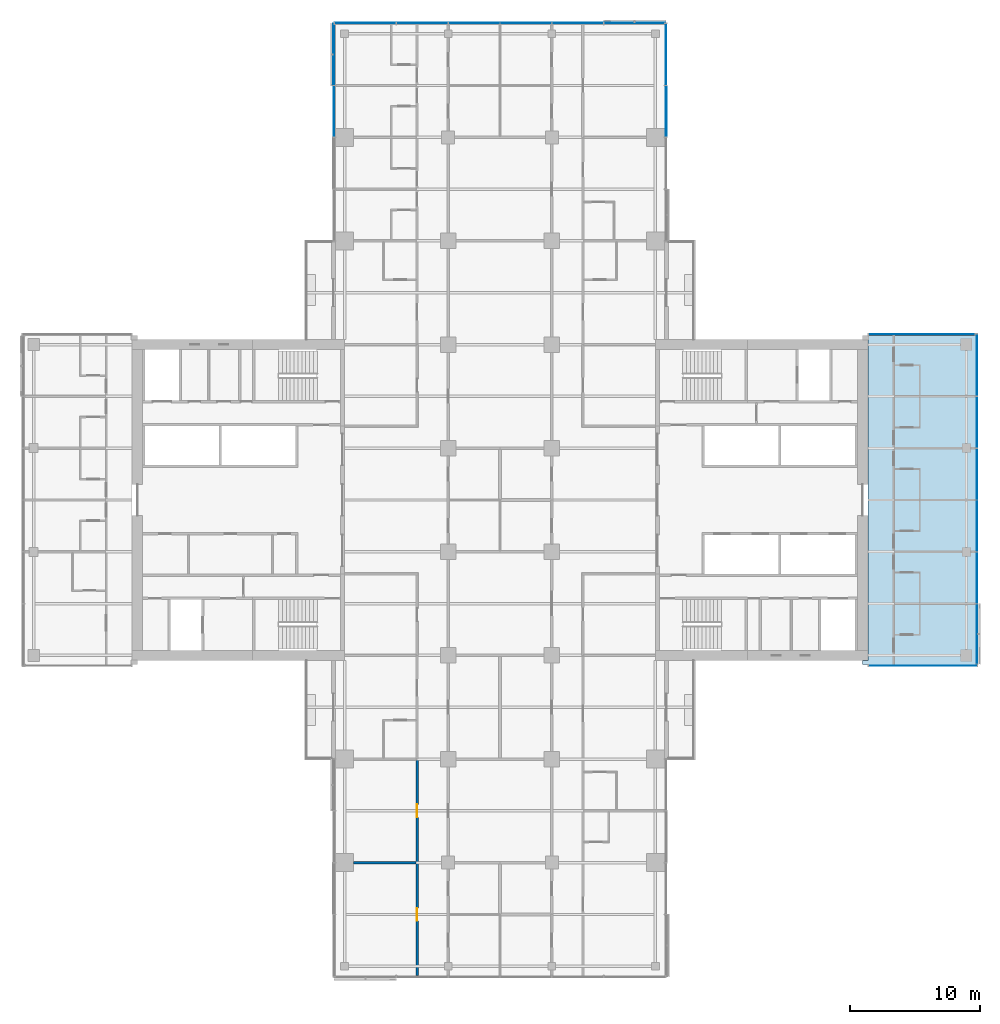
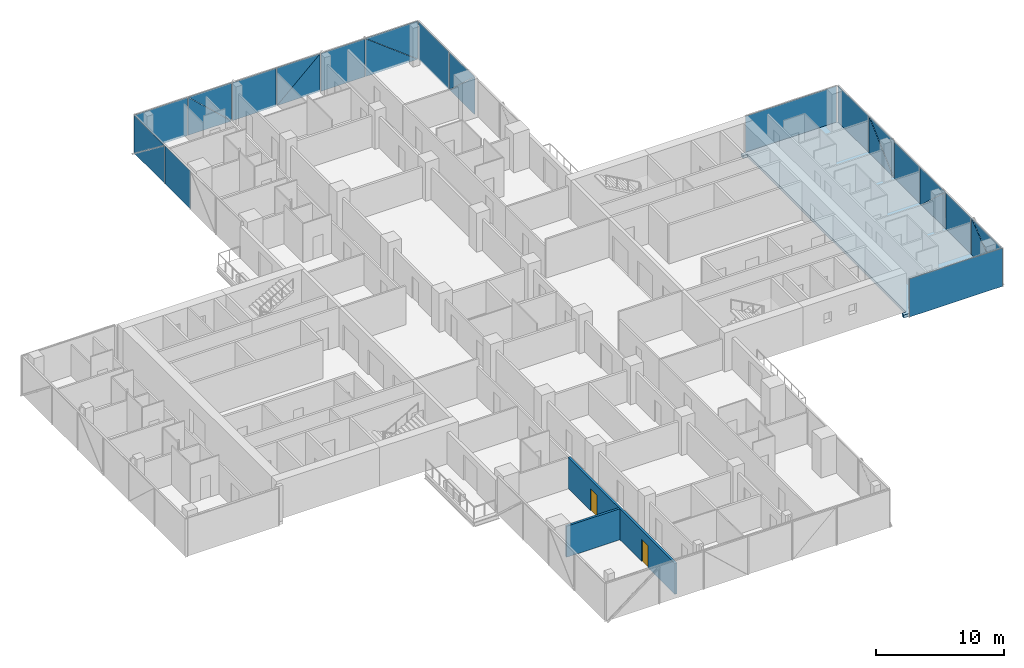
# One storey, part 14 of 27: 26 plates, 2 doors, 2 walls, 1 slab, 2 openings, 6 elements without a shape of their own.
"""IFC4 building model written with IfcOpenShell, lengths in metres."""

from ifc_helpers import new_model, si_unit, direction, frame, frame_2d, origin, place, context, subcontext, project, spatial, polyline, rectangle, outline, extrude, material, layer, layer_set, type_object, element, fill, aggregate, save


model = new_model("IFC4")

# Units and contexts
model_context = context("Model", 3, precision=1e-05, world=origin(), true_north=direction((0.0, 1.0)))
body_context = subcontext(model_context, "Body", "Model", "MODEL_VIEW")
ifc_project = project(units=[si_unit("LENGTHUNIT", "METRE"), si_unit("AREAUNIT", "SQUARE_METRE"), si_unit("VOLUMEUNIT", "CUBIC_METRE"), si_unit("PLANEANGLEUNIT", "RADIAN"), si_unit("MASSUNIT", "GRAM", prefix="KILO")], contexts=[model_context])

# Site, building, storey
site_placement = place(None, origin())
site = spatial("IfcSite", under=ifc_project, at=site_placement, CompositionType="ELEMENT")
building_placement = place(site_placement, origin())
building = spatial("IfcBuilding", under=site, at=building_placement, Name="Crosswind Convention Tower", CompositionType="ELEMENT")
storey_placement = place(building_placement, frame((0.0, 0.0, 94.199951171875)))
storey = spatial("IfcBuildingStorey", under=building, at=storey_placement, Name="L18", CompositionType="ELEMENT", Elevation=94.199951171875)

# Slab
ifc_material_1 = material(Name="Concrete C40/50", Category="concrete")
ifc_layer_1 = layer(ifc_material_1, 0.280029296875)
ifc_layer_set_1 = layer_set([ifc_layer_1], Name="Concrete C40/50")
slab_type = type_object("IfcSlabType", Name="Composite floor slab 280", PredefinedType="FLOOR", material=ifc_layer_set_1)
slab_placement = place(storey_placement, frame((0.0, 0.0, -0.280029296875)))
element("IfcSlab", 1, at=slab_placement, inside=storey, type_object=slab_type, Name="Floor slab L18 part 3", PredefinedType="FLOOR", context=body_context, shape_type="SweptSolid", body=[
    extrude(outline(polyline([(153.0, 112.699951171875), (161.0, 112.699951171875), (161.699951171875, 112.699951171875), (161.699951171875, 112.0), (161.699951171875, 88.0), (161.699951171875, 87.300048828125), (161.0, 87.300048828125), (153.0, 87.300048828125), (153.0, 87.60009765625), (153.39990234375, 87.60009765625), (153.39990234375, 112.39990234375), (153.0, 112.39990234375), (153.0, 112.699951171875)])), origin(), (0.0, 0.0, 1.0), 0.280029296875),
])

# Curtain wall, plate
ifc_material_2 = material(Name="Aluminium unitised curtain wall", Category="aluminium")
curtain_wall_type_1 = type_object("IfcCurtainWallType", Name="CORE END SLOT WALL 160", PredefinedType="USERDEFINED", material=ifc_material_2)
curtain_wall_1_placement = place(storey_placement, origin())
curtain_wall_1 = element("IfcCurtainWall", 2, at=curtain_wall_1_placement, inside=storey, type_object=curtain_wall_type_1, Name="CW6 L18 E-N.1-1 slot", ObjectType="UNITISED", PredefinedType="USERDEFINED")
ifc_material_3 = material(Name="Laminated insulating glass unit", Category="glass")
ifc_layer_2 = layer(ifc_material_3, 0.02587890625)
ifc_layer_set_2 = layer_set([ifc_layer_2], Name="TRIANGULAR GLASS PANEL 26")
plate_type_1 = type_object("IfcPlateType", Name="TRIANGULAR GLASS PANEL 26", PredefinedType="CURTAIN_PANEL", material=ifc_layer_set_2)
plate_1_placement = place(storey_placement, frame((161.64990234375, 112.806640625, -0.280029296875), z_axis=(0.0, 0.999999919475, 0.000401310917), x_axis=(-1.0, 0.0, 0.0)))
plate_1 = element("IfcPlate", 3, at=plate_1_placement, type_object=plate_type_1, Name="CW6 panel 1.1", PredefinedType="CURTAIN_PANEL", context=body_context, shape_type="SweptSolid", body=[
    extrude(outline(polyline([(0.0, 0.0), (8.199951171875, 0.0), (8.199951171875, 3.650146778303906), (0.0, 3.650146778303906), (0.0, 0.0)])), origin(), (0.0, 0.0, -1.0), 0.02587890625),
])
aggregate(curtain_wall_1, [plate_1])

curtain_wall_2_placement = place(storey_placement, origin())
curtain_wall_2 = element("IfcCurtainWall", 4, at=curtain_wall_2_placement, inside=storey, type_object=curtain_wall_type_1, Name="CW6 L18 E-S.2-1 slot", ObjectType="UNITISED", PredefinedType="USERDEFINED")
plate_2_placement = place(storey_placement, frame((153.449951171875, 87.193359375, -0.280029296875), z_axis=(0.0, -0.999999919475, 0.000401310917), x_axis=(1.0, 0.0, 0.0)))
plate_2 = element("IfcPlate", 5, at=plate_2_placement, type_object=plate_type_1, Name="CW6 panel 1.1", PredefinedType="CURTAIN_PANEL", context=body_context, shape_type="SweptSolid", body=[
    extrude(outline(polyline([(0.0, 0.0), (8.400146484375, 0.0), (8.400146484375, 3.6501467783039057), (0.0, 3.6501467783039057), (0.0, 0.0)])), origin(), (0.0, 0.0, -1.0), 0.02587890625),
])
aggregate(curtain_wall_2, [plate_2])

# Curtain wall, plates
curtain_wall_type_2 = type_object("IfcCurtainWallType", Name="HOTEL UNITISED WALL 200", PredefinedType="USERDEFINED", material=ifc_material_2)
curtain_wall_3_placement = place(storey_placement, origin())
curtain_wall_3 = element("IfcCurtainWall", 6, at=curtain_wall_3_placement, inside=storey, type_object=curtain_wall_type_2, Name="CW2 L18 E-TIP 1", ObjectType="UNITISED", PredefinedType="USERDEFINED")
ifc_layer_3 = layer(ifc_material_3, 0.028076171875)
ifc_layer_set_3 = layer_set([ifc_layer_3], Name="TRIANGULAR GLASS PANEL 28")
plate_type_2 = type_object("IfcPlateType", Name="TRIANGULAR GLASS PANEL 28", PredefinedType="CURTAIN_PANEL", material=ifc_layer_set_3)
plate_3_placement = place(storey_placement, frame((161.82861328125, 91.967529296875, -0.280029296875), z_axis=(0.999999943217, 0.0, 0.00033699533), x_axis=(-0.00033699533, 0.0, 0.999999943217)))
plate_3 = element("IfcPlate", 7, at=plate_3_placement, type_object=plate_type_2, Name="CW2 panel 1.1", PredefinedType="CURTAIN_PANEL", context=body_context, shape_type="SweptSolid", body=[
    extrude(outline(polyline([(0.0, 0.0), (3.6223146588106325, 0.0), (0.0, 4.58642578125), (0.0, 0.0)])), origin(), (0.0, 0.0, -1.0), 0.028076171875),
])
plate_4_placement = place(storey_placement, frame((161.857177734375, 87.364990234375, 3.35498046875), z_axis=(0.999999918222, 0.0, 0.000404421644), x_axis=(0.000404421644, 0.0, -0.999999918222)))
plate_4 = element("IfcPlate", 8, at=plate_4_placement, type_object=plate_type_2, Name="CW2 panel 1.2", PredefinedType="CURTAIN_PANEL", context=body_context, shape_type="SweptSolid", body=[
    extrude(outline(polyline([(0.0, 0.0), (3.6220706087072707, 0.0), (0.0, 4.586425781249999), (0.0, 0.0)])), origin(), (0.0, 0.0, -1.0), 0.028076171875),
])
plate_5_placement = place(storey_placement, frame((161.82861328125, 92.032470703125, -0.280029296875), z_axis=(0.999999943613, 0.0, 0.00033581837), x_axis=(0.0, 1.0, 0.0)))
plate_5 = element("IfcPlate", 9, at=plate_5_placement, type_object=plate_type_2, Name="CW2 panel 2.1", PredefinedType="CURTAIN_PANEL", context=body_context, shape_type="SweptSolid", body=[
    extrude(outline(polyline([(0.0, 0.0), (3.93505859375, 0.0), (3.93505859375, 3.635009970592273), (0.0, 3.635009970592273), (0.0, 0.0)])), origin(), (0.0, 0.0, -1.0), 0.028076171875),
])
plate_6_placement = place(storey_placement, frame((161.827392578125, 99.967529296875, 3.35498046875), z_axis=(0.999999943186, 0.0, 0.000337086208), x_axis=(0.0, -1.0, 0.0)))
plate_6 = element("IfcPlate", 10, at=plate_6_placement, type_object=plate_type_2, Name="CW2 panel 3.1", PredefinedType="CURTAIN_PANEL", context=body_context, shape_type="SweptSolid", body=[
    extrude(outline(polyline([(0.0, 0.0), (3.92041015625, 0.0), (0.0, 3.6213380963660997), (0.0, 0.0)])), origin(), (0.0, 0.0, -1.0), 0.028076171875),
])
plate_7_placement = place(storey_placement, frame((161.858642578125, 96.032470703125, -0.280029296875), z_axis=(0.9999999182, 0.0, 0.00040447617), x_axis=(0.0, 1.0, 0.0)))
plate_7 = element("IfcPlate", 11, at=plate_7_placement, type_object=plate_type_2, Name="CW2 panel 3.2", PredefinedType="CURTAIN_PANEL", context=body_context, shape_type="SweptSolid", body=[
    extrude(outline(polyline([(0.0, 0.0), (3.92041015625, 0.0), (0.0, 3.621582327497207), (0.0, 0.0)])), origin(), (0.0, 0.0, -1.0), 0.028076171875),
])
plate_8_placement = place(storey_placement, frame((161.82861328125, 100.032470703125, -0.280029296875), z_axis=(0.999999943613, 0.0, 0.00033581837), x_axis=(0.0, 1.0, 0.0)))
plate_8 = element("IfcPlate", 12, at=plate_8_placement, type_object=plate_type_2, Name="CW2 panel 4.1", PredefinedType="CURTAIN_PANEL", context=body_context, shape_type="SweptSolid", body=[
    extrude(outline(polyline([(0.0, 0.0), (3.93505859375, 0.0), (3.93505859375, 3.635009970592273), (0.0, 3.635009970592273), (0.0, 0.0)])), origin(), (0.0, 0.0, -1.0), 0.028076171875),
])
plate_9_placement = place(storey_placement, frame((161.82861328125, 107.967529296875, -0.280029296875), z_axis=(0.999999943194, 0.0, 0.000337063484), x_axis=(-0.000337063484, 0.0, 0.999999943194)))
plate_9 = element("IfcPlate", 13, at=plate_9_placement, type_object=plate_type_2, Name="CW2 panel 5.1", PredefinedType="CURTAIN_PANEL", context=body_context, shape_type="SweptSolid", body=[
    extrude(outline(polyline([(0.0, 0.0), (3.62158223697723, 0.0), (0.0, 3.920410156250001), (0.0, 0.0)])), origin(), (0.0, 0.0, -1.0), 0.028076171875),
])
plate_10_placement = place(storey_placement, frame((161.857177734375, 104.032470703125, 3.35498046875), z_axis=(0.999999918188, 0.0, 0.000404503439), x_axis=(0.000404503439, 0.0, -0.999999918188)))
plate_10 = element("IfcPlate", 14, at=plate_10_placement, type_object=plate_type_2, Name="CW2 panel 5.2", PredefinedType="CURTAIN_PANEL", context=body_context, shape_type="SweptSolid", body=[
    extrude(outline(polyline([(0.0, 0.0), (3.6213381868921797, 0.0), (0.0, 3.92041015625), (0.0, 0.0)])), origin(), (0.0, 0.0, -1.0), 0.028076171875),
])
plate_11_placement = place(storey_placement, frame((161.82861328125, 108.032470703125, -0.280029296875), z_axis=(0.999999943613, 0.0, 0.00033581837), x_axis=(0.0, 1.0, 0.0)))
plate_11 = element("IfcPlate", 15, at=plate_11_placement, type_object=plate_type_2, Name="CW2 panel 6.1", PredefinedType="CURTAIN_PANEL", context=body_context, shape_type="SweptSolid", body=[
    extrude(outline(polyline([(0.0, 0.0), (4.762451171875, 0.0), (4.762451171875, 3.635009970592273), (0.0, 3.635009970592273), (0.0, 0.0)])), origin(), (0.0, 0.0, -1.0), 0.028076171875),
])
aggregate(curtain_wall_3, [plate_3, plate_4, plate_5, plate_6, plate_7, plate_8, plate_9, plate_10, plate_11])

curtain_wall_4_placement = place(storey_placement, origin())
curtain_wall_4 = element("IfcCurtainWall", 16, at=curtain_wall_4_placement, inside=storey, type_object=curtain_wall_type_2, Name="CW2 L18 N-E 1", ObjectType="UNITISED", PredefinedType="USERDEFINED")
plate_12_placement = place(storey_placement, frame((137.827392578125, 131.967529296875, 3.35498046875), z_axis=(0.999999943186, 0.0, 0.000337086208), x_axis=(0.0, -1.0, 0.0)))
plate_12 = element("IfcPlate", 17, at=plate_12_placement, type_object=plate_type_2, Name="CW2 panel 3.1", PredefinedType="CURTAIN_PANEL", context=body_context, shape_type="SweptSolid", body=[
    extrude(outline(polyline([(0.0, 0.0), (3.92041015625, 0.0), (0.0, 3.6213380963660997), (0.0, 0.0)])), origin(), (0.0, 0.0, -1.0), 0.028076171875),
])
plate_13_placement = place(storey_placement, frame((137.858642578125, 128.032470703125, -0.280029296875), z_axis=(0.9999999182, 0.0, 0.00040447617), x_axis=(0.0, 1.0, 0.0)))
plate_13 = element("IfcPlate", 18, at=plate_13_placement, type_object=plate_type_2, Name="CW2 panel 3.2", PredefinedType="CURTAIN_PANEL", context=body_context, shape_type="SweptSolid", body=[
    extrude(outline(polyline([(0.0, 0.0), (3.92041015625, 0.0), (0.0, 3.621582327497207), (0.0, 0.0)])), origin(), (0.0, 0.0, -1.0), 0.028076171875),
])
plate_14_placement = place(storey_placement, frame((137.82861328125, 132.032470703125, -0.280029296875), z_axis=(0.999999943613, 0.0, 0.00033581837), x_axis=(0.0, 1.0, 0.0)))
plate_14 = element("IfcPlate", 19, at=plate_14_placement, type_object=plate_type_2, Name="CW2 panel 4.1", PredefinedType="CURTAIN_PANEL", context=body_context, shape_type="SweptSolid", body=[
    extrude(outline(polyline([(0.0, 0.0), (4.735107421875, 0.0), (4.735107421875, 3.6350099705922725), (0.0, 3.6350099705922725), (0.0, 0.0)])), origin(), (0.0, 0.0, -1.0), 0.028076171875),
])
aggregate(curtain_wall_4, [plate_12, plate_13, plate_14])

curtain_wall_5_placement = place(storey_placement, origin())
curtain_wall_5 = element("IfcCurtainWall", 20, at=curtain_wall_5_placement, inside=storey, type_object=curtain_wall_type_2, Name="CW2 L18 N-TIP 1", ObjectType="UNITISED", PredefinedType="USERDEFINED")
plate_15_placement = place(storey_placement, frame((133.032470703125, 136.82861328125, -0.280029296875), z_axis=(0.0, 0.999999943225, 0.000336972619), x_axis=(0.0, -0.000336972619, 0.999999943225)))
plate_15 = element("IfcPlate", 21, at=plate_15_placement, type_object=plate_type_2, Name="CW2 panel 1.1", PredefinedType="CURTAIN_PANEL", context=body_context, shape_type="SweptSolid", body=[
    extrude(outline(polyline([(0.0, 0.0), (3.6225587994217703, 0.0), (0.0, 4.718505859374999), (0.0, 0.0)])), origin(), (0.0, 0.0, -1.0), 0.028076171875),
])
plate_16_placement = place(storey_placement, frame((137.767578125, 136.857177734375, 3.35498046875), z_axis=(0.0, 0.999999918233, 0.000404394386), x_axis=(0.0, 0.000404394386, -0.999999918233)))
plate_16 = element("IfcPlate", 22, at=plate_16_placement, type_object=plate_type_2, Name="CW2 panel 1.2", PredefinedType="CURTAIN_PANEL", context=body_context, shape_type="SweptSolid", body=[
    extrude(outline(polyline([(0.0, 0.0), (3.6223147493123067, 0.0), (0.0, 4.71875), (0.0, 0.0)])), origin(), (0.0, 0.0, -1.0), 0.028076171875),
])
plate_17_placement = place(storey_placement, frame((132.967529296875, 136.82861328125, -0.280029296875), z_axis=(0.0, 0.999999943613, 0.00033581837), x_axis=(-1.0, 0.0, 0.0)))
plate_17 = element("IfcPlate", 23, at=plate_17_placement, type_object=plate_type_2, Name="CW2 panel 2.1", PredefinedType="CURTAIN_PANEL", context=body_context, shape_type="SweptSolid", body=[
    extrude(outline(polyline([(0.0, 0.0), (3.93505859375, 0.0), (3.93505859375, 3.635009970592273), (0.0, 3.635009970592273), (0.0, 0.0)])), origin(), (0.0, 0.0, -1.0), 0.028076171875),
])
plate_18_placement = place(storey_placement, frame((125.032470703125, 136.827392578125, 3.35498046875), z_axis=(0.0, 0.999999943186, 0.000337086208), x_axis=(1.0, 0.0, 0.0)))
plate_18 = element("IfcPlate", 24, at=plate_18_placement, type_object=plate_type_2, Name="CW2 panel 3.1", PredefinedType="CURTAIN_PANEL", context=body_context, shape_type="SweptSolid", body=[
    extrude(outline(polyline([(0.0, 0.0), (3.92041015625, 0.0), (0.0, 3.6213380963660997), (0.0, 0.0)])), origin(), (0.0, 0.0, -1.0), 0.028076171875),
])
plate_19_placement = place(storey_placement, frame((128.967529296875, 136.858642578125, -0.280029296875), z_axis=(0.0, 0.9999999182, 0.00040447617), x_axis=(-1.0, 0.0, 0.0)))
plate_19 = element("IfcPlate", 25, at=plate_19_placement, type_object=plate_type_2, Name="CW2 panel 3.2", PredefinedType="CURTAIN_PANEL", context=body_context, shape_type="SweptSolid", body=[
    extrude(outline(polyline([(0.0, 0.0), (3.92041015625, 0.0), (0.0, 3.621582327497207), (0.0, 0.0)])), origin(), (0.0, 0.0, -1.0), 0.028076171875),
])
plate_20_placement = place(storey_placement, frame((124.967529296875, 136.82861328125, -0.280029296875), z_axis=(0.0, 0.999999943613, 0.00033581837), x_axis=(-1.0, 0.0, 0.0)))
plate_20 = element("IfcPlate", 26, at=plate_20_placement, type_object=plate_type_2, Name="CW2 panel 4.1", PredefinedType="CURTAIN_PANEL", context=body_context, shape_type="SweptSolid", body=[
    extrude(outline(polyline([(0.0, 0.0), (3.93505859375, 0.0), (3.93505859375, 3.635009970592273), (0.0, 3.635009970592273), (0.0, 0.0)])), origin(), (0.0, 0.0, -1.0), 0.028076171875),
])
plate_21_placement = place(storey_placement, frame((117.032470703125, 136.82861328125, -0.280029296875), z_axis=(0.0, 0.999999943194, 0.000337063484), x_axis=(0.0, -0.000337063484, 0.999999943194)))
plate_21 = element("IfcPlate", 27, at=plate_21_placement, type_object=plate_type_2, Name="CW2 panel 5.1", PredefinedType="CURTAIN_PANEL", context=body_context, shape_type="SweptSolid", body=[
    extrude(outline(polyline([(0.0, 0.0), (3.62158223697723, 0.0), (0.0, 3.920410156250001), (0.0, 0.0)])), origin(), (0.0, 0.0, -1.0), 0.028076171875),
])
plate_22_placement = place(storey_placement, frame((120.967529296875, 136.857177734375, 3.35498046875), z_axis=(0.0, 0.999999918188, 0.000404503439), x_axis=(0.0, 0.000404503439, -0.999999918188)))
plate_22 = element("IfcPlate", 28, at=plate_22_placement, type_object=plate_type_2, Name="CW2 panel 5.2", PredefinedType="CURTAIN_PANEL", context=body_context, shape_type="SweptSolid", body=[
    extrude(outline(polyline([(0.0, 0.0), (3.6213381868921797, 0.0), (0.0, 3.92041015625), (0.0, 0.0)])), origin(), (0.0, 0.0, -1.0), 0.028076171875),
])
plate_23_placement = place(storey_placement, frame((116.967529296875, 136.82861328125, -0.280029296875), z_axis=(0.0, 0.999999943613, 0.00033581837), x_axis=(-1.0, 0.0, 0.0)))
plate_23 = element("IfcPlate", 29, at=plate_23_placement, type_object=plate_type_2, Name="CW2 panel 6.1", PredefinedType="CURTAIN_PANEL", context=body_context, shape_type="SweptSolid", body=[
    extrude(outline(polyline([(0.0, 0.0), (4.735107421875, 0.0), (4.735107421875, 3.6350099705922725), (0.0, 3.6350099705922725), (0.0, 0.0)])), origin(), (0.0, 0.0, -1.0), 0.028076171875),
])
aggregate(curtain_wall_5, [plate_15, plate_16, plate_17, plate_18, plate_19, plate_20, plate_21, plate_22, plate_23])

curtain_wall_6_placement = place(storey_placement, origin())
curtain_wall_6 = element("IfcCurtainWall", 30, at=curtain_wall_6_placement, inside=storey, type_object=curtain_wall_type_2, Name="CW2 L18 N-W 1", ObjectType="UNITISED", PredefinedType="USERDEFINED")
plate_24_placement = place(storey_placement, frame((112.17138671875, 132.032470703125, -0.280029296875), z_axis=(-0.999999943225, 0.0, 0.000336972619), x_axis=(0.000336972619, 0.0, 0.999999943225)))
plate_24 = element("IfcPlate", 31, at=plate_24_placement, type_object=plate_type_2, Name="CW2 panel 1.1", PredefinedType="CURTAIN_PANEL", context=body_context, shape_type="SweptSolid", body=[
    extrude(outline(polyline([(0.0, 0.0), (3.6225587994217703, 0.0), (0.0, 4.718505859374999), (0.0, 0.0)])), origin(), (0.0, 0.0, -1.0), 0.028076171875),
])
plate_25_placement = place(storey_placement, frame((112.142822265625, 136.767578125, 3.35498046875), z_axis=(-0.999999918233, 0.0, 0.000404394386), x_axis=(-0.000404394386, 0.0, -0.999999918233)))
plate_25 = element("IfcPlate", 32, at=plate_25_placement, type_object=plate_type_2, Name="CW2 panel 1.2", PredefinedType="CURTAIN_PANEL", context=body_context, shape_type="SweptSolid", body=[
    extrude(outline(polyline([(0.0, 0.0), (3.6223147493123067, 0.0), (0.0, 4.71875), (0.0, 0.0)])), origin(), (0.0, 0.0, -1.0), 0.028076171875),
])
plate_26_placement = place(storey_placement, frame((112.17138671875, 131.967529296875, -0.280029296875), z_axis=(-0.999999943613, 0.0, 0.00033581837), x_axis=(0.0, -1.0, 0.0)))
plate_26 = element("IfcPlate", 33, at=plate_26_placement, type_object=plate_type_2, Name="CW2 panel 2.1", PredefinedType="CURTAIN_PANEL", context=body_context, shape_type="SweptSolid", body=[
    extrude(outline(polyline([(0.0, 0.0), (3.93505859375, 0.0), (3.93505859375, 3.635009970592273), (0.0, 3.635009970592273), (0.0, 0.0)])), origin(), (0.0, 0.0, -1.0), 0.028076171875),
])
aggregate(curtain_wall_6, [plate_24, plate_25, plate_26])

# Wall
ifc_material_4 = material(Name="Double plasterboard partition", Category="gypsum")
ifc_layer_4 = layer(ifc_material_4, 0.199951171875)
ifc_layer_set_4 = layer_set([ifc_layer_4], Name="HALL WALL 200")
wall_type = type_object("IfcWallType", Name="HALL WALL 200", PredefinedType="PARTITIONING", material=ifc_layer_set_4)
wall_1_placement = place(storey_placement, frame((113.699951171875, 72.0, 0.0), z_axis=(0.0, 0.0, 1.0), x_axis=(1.0, 0.0, 0.0)))
element("IfcWall", 34, at=wall_1_placement, inside=storey, type_object=wall_type, Name="Hall Wall 3", PredefinedType="PARTITIONING", context=body_context, shape_type="SweptSolid", body=[
    extrude(rectangle(XDim=4.800048828125, YDim=0.199951171875, at=frame_2d((2.39990234375, 0.0))), origin(), (0.0, 0.0, 1.0), 2.9599609375),
])

# Wall, openings, doors
wall_2_placement = place(storey_placement, frame((118.60009765625, 63.300048828125, 0.0), z_axis=(0.0, 0.0, 1.0), x_axis=(0.0, 1.0, 0.0)))
wall_2 = element("IfcWall", 35, at=wall_2_placement, inside=storey, type_object=wall_type, Name="Hall Wall 78", PredefinedType="PARTITIONING", context=body_context, shape_type="SweptSolid", body=[
    extrude(rectangle(XDim=16.699951171875, YDim=0.199951171875, at=frame_2d((8.35009765625, 0.0))), origin(), (0.0, 0.0, 1.0), 2.9599609375),
])
opening_1_placement = place(wall_2_placement, frame((12.199951171875, 0.0, 0.0)))
opening_1 = element("IfcOpeningElement", 36, at=opening_1_placement, cuts=wall_2, Name="Opening 18.026", PredefinedType="OPENING", context=body_context, shape_type="SweptSolid", body=[
    extrude(rectangle(XDim=1.0, YDim=2.10009765625, at=frame_2d((0.5, 1.050048828125))), frame((0.0, 0.10986328125, 0.0), z_axis=(0.0, -1.0, 0.0), x_axis=(1.0, 0.0, 0.0)), (0.0, 0.0, 1.0), 0.219970703125),
])
opening_2_placement = place(wall_2_placement, frame((4.199951171875, 0.0, 0.0)))
opening_2 = element("IfcOpeningElement", 37, at=opening_2_placement, cuts=wall_2, Name="Opening 18.027", PredefinedType="OPENING", context=body_context, shape_type="SweptSolid", body=[
    extrude(rectangle(XDim=1.0, YDim=2.10009765625, at=frame_2d((0.5, 1.050048828125))), frame((0.0, 0.10986328125, 0.0), z_axis=(0.0, -1.0, 0.0), x_axis=(1.0, 0.0, 0.0)), (0.0, 0.0, 1.0), 0.219970703125),
])
ifc_material_5 = material(Name="Timber fire door", Category="wood")
door_type = type_object("IfcDoorType", Name="MEETING ROOM DOOR 1000X2100", OperationType="NOTDEFINED", PredefinedType="DOOR", material=ifc_material_5)
door_1_placement = place(opening_1_placement, frame((1.0, 0.0, 0.0), z_axis=(0.0, 0.0, 1.0), x_axis=(-1.0, 0.0, 0.0)))
door_1 = element("IfcDoor", 38, at=door_1_placement, inside=storey, type_object=door_type, Name="Door 18.026", ObjectType="D13", OperationType="SINGLE_SWING_LEFT", OverallHeight=2.10009765625, OverallWidth=1.0, PredefinedType="DOOR", context=body_context, shape_type="SweptSolid", body=[
    extrude(rectangle(XDim=1.0, YDim=2.10009765625, at=frame_2d((0.5, 1.050048828125))), frame((0.0, 0.02490234375, 0.0), z_axis=(0.0, -1.0, 0.0), x_axis=(1.0, 0.0, 0.0)), (0.0, 0.0, 1.0), 0.050048828125),
])
fill(opening_1, door_1)
door_2_placement = place(opening_2_placement, frame((1.0, 0.0, 0.0), z_axis=(0.0, 0.0, 1.0), x_axis=(-1.0, 0.0, 0.0)))
door_2 = element("IfcDoor", 39, at=door_2_placement, inside=storey, type_object=door_type, Name="Door 18.027", ObjectType="D13", OperationType="SINGLE_SWING_RIGHT", OverallHeight=2.10009765625, OverallWidth=1.0, PredefinedType="DOOR", context=body_context, shape_type="SweptSolid", body=[
    extrude(rectangle(XDim=1.0, YDim=2.10009765625, at=frame_2d((0.5, 1.050048828125))), frame((0.0, 0.02490234375, 0.0), z_axis=(0.0, -1.0, 0.0), x_axis=(1.0, 0.0, 0.0)), (0.0, 0.0, 1.0), 0.050048828125),
])
fill(opening_2, door_2)

save(model, "model.ifc")
